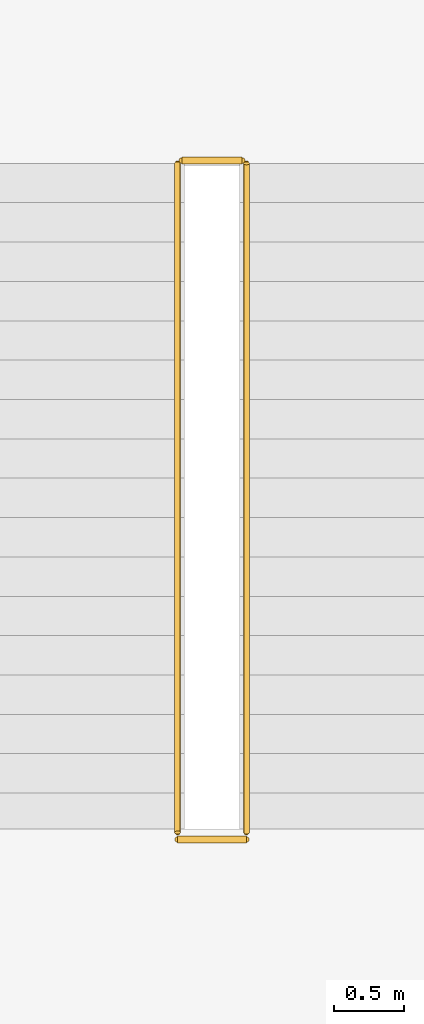
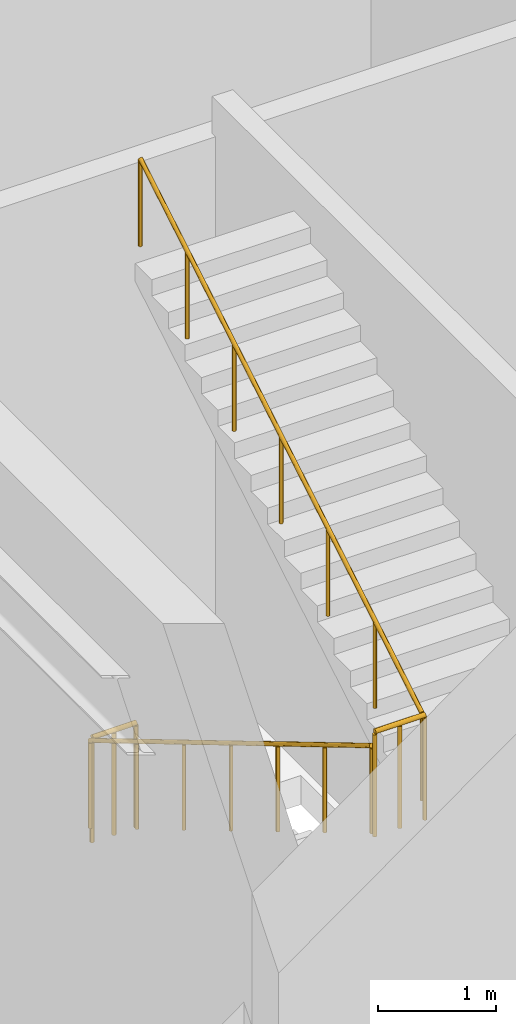
# One storey, part 208 of 223: 4 railings.
"""IFC4 building model written with IfcOpenShell, lengths in metres."""

from ifc_helpers import new_model, si_unit, direction, frame, origin, origin_2d, place, context, subcontext, project, spatial, circle, extrude, material, type_object, element, save


model = new_model("IFC4")

# Units and contexts
model_context = context("Model", 3, precision=1e-05, world=origin(), true_north=direction((0.0, 1.0)))
body_context = subcontext(model_context, "Body", "Model", "MODEL_VIEW")
ifc_project = project(units=[si_unit("LENGTHUNIT", "METRE"), si_unit("AREAUNIT", "SQUARE_METRE"), si_unit("VOLUMEUNIT", "CUBIC_METRE"), si_unit("PLANEANGLEUNIT", "RADIAN"), si_unit("MASSUNIT", "GRAM", prefix="KILO")], contexts=[model_context])

# Site, building, storey
site_placement = place(None, origin())
site = spatial("IfcSite", under=ifc_project, at=site_placement, CompositionType="ELEMENT")
building_placement = place(site_placement, origin())
building = spatial("IfcBuilding", under=site, at=building_placement, Name="Dornveld Trade and Exhibition Forum", CompositionType="ELEMENT")
storey_placement = place(building_placement, frame((0.0, 0.0, 6.0)))
storey = spatial("IfcBuildingStorey", under=building, at=storey_placement, Name="L01", CompositionType="ELEMENT", Elevation=6.0)

# Railings
ifc_material_1 = material(Name="Brushed stainless steel handrail", Category="steel")
railing_type_1 = type_object("IfcRailingType", Name="RL-HAND-920", PredefinedType="HANDRAIL", material=ifc_material_1)
railing_1_placement = place(storey_placement, frame((92.60498046875, 72.85009765625, 0.166748046875)))
element("IfcRailing", 1, at=railing_1_placement, inside=storey, type_object=railing_type_1, Name="ST-05-L01 flight 1 handrail", PredefinedType="HANDRAIL", context=body_context, shape_type="SweptSolid", body=[
    extrude(circle(Radius=0.02099609375, at=origin_2d()), frame((0.0, 0.0, 0.89892578125), z_axis=(0.0, -0.859299802514, 0.511472237174), x_axis=(1.0, 0.0, 0.0)), (0.0, 0.0, 1.0), 5.539306640625),
    extrude(circle(Radius=0.01806640625, at=origin_2d()), origin(), (0.0, 0.0, 1.0), 0.8779296875),
    extrude(circle(Radius=0.01806640625, at=origin_2d()), frame((0.0, -0.79345703125, 0.47216796875)), (0.0, 0.0, 1.0), 0.8779296875),
    extrude(circle(Radius=0.01806640625, at=origin_2d()), frame((0.0, -1.586669921875, 0.9443359375)), (0.0, 0.0, 1.0), 0.8779296875),
    extrude(circle(Radius=0.01806640625, at=origin_2d()), frame((0.0, -2.3798828125, 1.41650390625)), (0.0, 0.0, 1.0), 0.8779296875),
    extrude(circle(Radius=0.01806640625, at=origin_2d()), frame((0.0, -3.17333984375, 1.888916015625)), (0.0, 0.0, 1.0), 0.8779296875),
    extrude(circle(Radius=0.01806640625, at=origin_2d()), frame((0.0, -3.966796875, 2.361083984375)), (0.0, 0.0, 1.0), 0.8779296875),
    extrude(circle(Radius=0.01806640625, at=origin_2d()), frame((0.0, -4.760009765625, 2.833251953125)), (0.0, 0.0, 1.0), 0.8779296875),
])
railing_2_placement = place(storey_placement, frame((93.094970703125, 68.090087890625, 3.166748046875)))
element("IfcRailing", 2, at=railing_2_placement, inside=storey, type_object=railing_type_1, Name="ST-05-L01 flight 2 handrail", PredefinedType="HANDRAIL", context=body_context, shape_type="SweptSolid", body=[
    extrude(circle(Radius=0.02099609375, at=origin_2d()), frame((0.0, 0.0, 0.89892578125), z_axis=(0.0, 0.859299802514, 0.511472237174), x_axis=(-1.0, 0.0, 0.0)), (0.0, 0.0, 1.0), 5.539306640625),
    extrude(circle(Radius=0.01806640625, at=origin_2d()), origin(), (0.0, 0.0, 1.0), 0.8779296875),
    extrude(circle(Radius=0.01806640625, at=origin_2d()), frame((0.0, 0.79345703125, 0.47216796875)), (0.0, 0.0, 1.0), 0.8779296875),
    extrude(circle(Radius=0.01806640625, at=origin_2d()), frame((0.0, 1.586669921875, 0.9443359375)), (0.0, 0.0, 1.0), 0.8779296875),
    extrude(circle(Radius=0.01806640625, at=origin_2d()), frame((0.0, 2.3798828125, 1.41650390625)), (0.0, 0.0, 1.0), 0.8779296875),
    extrude(circle(Radius=0.01806640625, at=origin_2d()), frame((0.0, 3.17333984375, 1.888916015625)), (0.0, 0.0, 1.0), 0.8779296875),
    extrude(circle(Radius=0.01806640625, at=origin_2d()), frame((0.0, 3.966796875, 2.361083984375)), (0.0, 0.0, 1.0), 0.8779296875),
    extrude(circle(Radius=0.01806640625, at=origin_2d()), frame((0.0, 4.760009765625, 2.833251953125)), (0.0, 0.0, 1.0), 0.8779296875),
])
ifc_material_2 = material(Name="Painted steel S355J2 stair-well guard", Category="steel")
railing_type_2 = type_object("IfcRailingType", Name="RL-WELL-110", PredefinedType="GUARDRAIL", material=ifc_material_2)
railing_3_placement = place(storey_placement, frame((92.60498046875, 68.0400390625, 3.0)))
element("IfcRailing", 3, at=railing_3_placement, inside=storey, type_object=railing_type_2, Name="ST-05-L01 half-landing well guard", PredefinedType="GUARDRAIL", context=body_context, shape_type="SweptSolid", body=[
    extrude(circle(Radius=0.02392578125, at=origin_2d()), frame((0.0, 0.0, 1.076171875), z_axis=(1.0, 0.0, 0.0), x_axis=(0.0, 1.0, 0.0)), (0.0, 0.0, 1.0), 0.489990234375),
    extrude(circle(Radius=0.02001953125, at=origin_2d()), origin(), (0.0, 0.0, 1.0), 1.052001953125),
    extrude(circle(Radius=0.02001953125, at=origin_2d()), frame((0.2451171875, 0.0, 0.0)), (0.0, 0.0, 1.0), 1.052001953125),
    extrude(circle(Radius=0.02001953125, at=origin_2d()), frame((0.489990234375, 0.0, 0.0)), (0.0, 0.0, 1.0), 1.052001953125),
])
railing_4_placement = place(storey_placement, frame((92.635009765625, 72.8701171875, 0.0)))
element("IfcRailing", 4, at=railing_4_placement, inside=storey, type_object=railing_type_2, Name="CORE-05 L01 stair-slot floor guard", PredefinedType="GUARDRAIL", context=body_context, shape_type="SweptSolid", body=[
    extrude(circle(Radius=0.02392578125, at=origin_2d()), frame((0.0, 0.0, 1.076171875), z_axis=(1.0, 0.0, 0.0), x_axis=(0.0, 1.0, 0.0)), (0.0, 0.0, 1.0), 0.429931640625),
    extrude(circle(Radius=0.02001953125, at=origin_2d()), origin(), (0.0, 0.0, 1.0), 1.052001953125),
    extrude(circle(Radius=0.02001953125, at=origin_2d()), frame((0.21484375, 0.0, 0.0)), (0.0, 0.0, 1.0), 1.052001953125),
    extrude(circle(Radius=0.02001953125, at=origin_2d()), frame((0.429931640625, 0.0, 0.0)), (0.0, 0.0, 1.0), 1.052001953125),
])

save(model, "model.ifc")
